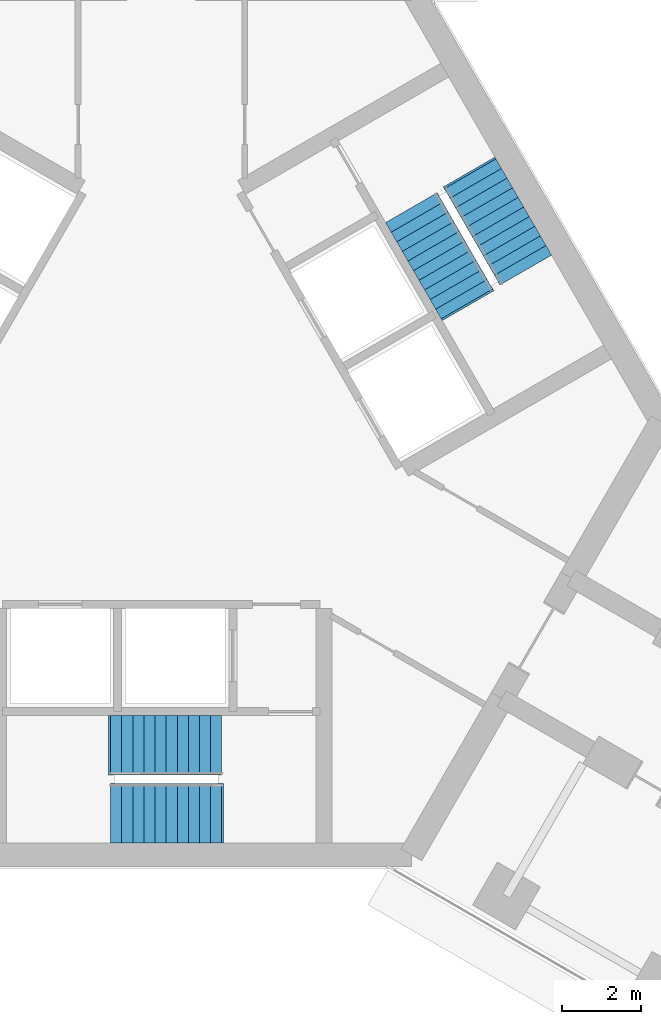
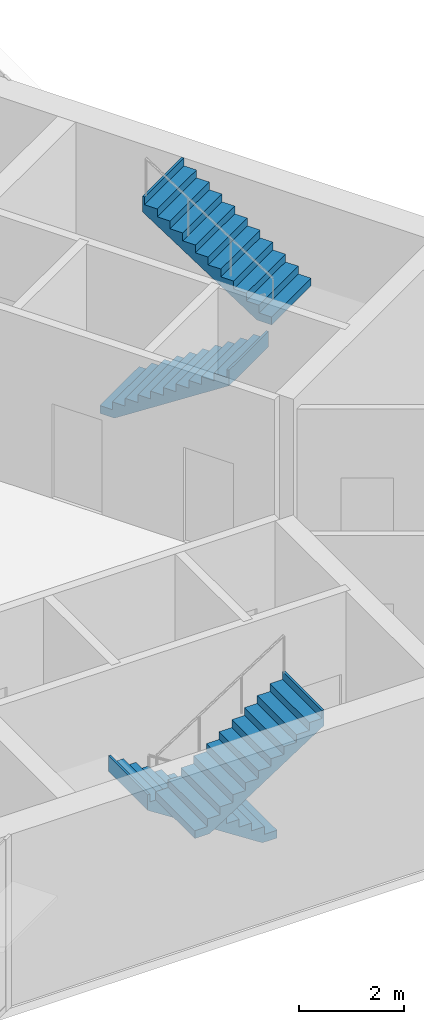
# One storey, part 22 of 23: 4 stair flights, 2 elements without a shape of their own.
"""IFC4 building model written with IfcOpenShell, lengths in metres."""

import ifcopenshell
import ifcopenshell.guid

model = None  # the IFC model being written
_history = None  # IfcOwnerHistory: only IFC2X3 demands one
_inside = {}  # id of a spatial element -> (the spatial element, [elements in it])
_under = {}  # id of a project, library or spatial element -> (it, [spatial elements below it])
_declared = {}  # id of a project -> (the project, [libraries it declares])
_typed = {}  # id of a type object -> (the type object, [elements of that type])
_made_of = {}  # id of a material, layer set ... -> (it, [elements and type objects made of it])


def new_model(schema):
    """Start an empty IFC model of exactly this schema.

    Asked for "IFC4X3", IfcOpenShell would pick the latest addendum, in which some entities
    have other attributes; the version numbers below select the first issue.
    IFC2X3 requires an IfcOwnerHistory on every rooted entity: one is made here for all.
    """
    global model, _history
    if schema == "IFC4X3":
        model = ifcopenshell.file(schema_version=(4, 3, 0, 0))
    else:
        model = ifcopenshell.file(schema=schema)
    _inside.clear()
    _under.clear()
    _declared.clear()
    _typed.clear()
    _made_of.clear()
    _history = None
    if model.schema == "IFC2X3":
        org = make("IfcOrganization", Name="unknown")
        user = make(
            "IfcPersonAndOrganization",
            ThePerson=make("IfcPerson", FamilyName="unknown"),
            TheOrganization=org,
        )
        app = make(
            "IfcApplication",
            ApplicationDeveloper=org,
            Version="unknown",
            ApplicationFullName="unknown",
            ApplicationIdentifier="unknown",
        )
        _history = make(
            "IfcOwnerHistory",
            OwningUser=user,
            OwningApplication=app,
            ChangeAction="ADDED",
            CreationDate=0,
        )
    return model


def make(cls, **values):
    """One entity of the class cls with the attributes given. An attribute that is None is left unset."""
    return model.create_entity(
        cls, **{name: value for name, value in values.items() if value is not None}
    )


def rooted(cls, **values):
    """An entity with a GlobalId (a new one), such as an element, a storey or a relation."""
    return make(cls, GlobalId=ifcopenshell.guid.new(), OwnerHistory=_history, **values)


def si_unit(unit_type, name, prefix=None):
    """IfcSIUnit, for example si_unit("LENGTHUNIT", "METRE", prefix="MILLI")."""
    return make("IfcSIUnit", UnitType=unit_type, Prefix=prefix, Name=name)


def assignment(units):
    """IfcUnitAssignment: the units of a project."""
    return None if units is None else make("IfcUnitAssignment", Units=units)


def point(xyz):
    """IfcCartesianPoint."""
    return None if xyz is None else make("IfcCartesianPoint", Coordinates=xyz)


def direction(xyz):
    """IfcDirection."""
    return None if xyz is None else make("IfcDirection", DirectionRatios=xyz)


def frame(location, z_axis=None, x_axis=None):
    """IfcAxis2Placement3D, a coordinate frame: its origin and axes. An axis left out is left unset."""
    return make(
        "IfcAxis2Placement3D",
        Location=point(location),
        Axis=direction(z_axis),
        RefDirection=direction(x_axis),
    )


def origin():
    """The frame at (0, 0, 0) with its axes left unset."""
    return frame((0.0, 0.0, 0.0))


def place(relative_to, where):
    """IfcLocalPlacement: puts the frame where relative to a parent placement (None: the world)."""
    return make(
        "IfcLocalPlacement", PlacementRelTo=relative_to, RelativePlacement=where
    )


def context(
    kind, dimensions, precision=None, world=None, true_north=None, identifier=None
):
    """IfcGeometricRepresentationContext, for example the 3D "Model" context."""
    return make(
        "IfcGeometricRepresentationContext",
        ContextIdentifier=identifier,
        ContextType=kind,
        CoordinateSpaceDimension=dimensions,
        Precision=precision,
        WorldCoordinateSystem=world,
        TrueNorth=true_north,
    )


def subcontext(parent, identifier, kind, view, scale=None):
    """IfcGeometricRepresentationSubContext, for example "Body" below "Model"."""
    return make(
        "IfcGeometricRepresentationSubContext",
        ContextIdentifier=identifier,
        ContextType=kind,
        ParentContext=parent,
        TargetScale=scale,
        TargetView=view,
    )


def project(units=None, contexts=None):
    """IfcProject with its units and contexts."""
    return rooted(
        "IfcProject",
        Name="project",
        RepresentationContexts=contexts,
        UnitsInContext=assignment(units),
    )


def spatial(cls, under=None, at=None, **own):
    """A site, building, storey or space (cls), placed at a placement, below another one or the project."""
    s = rooted(cls, ObjectPlacement=at, **own)
    if under is not None:
        _under.setdefault(under.id(), (under, []))[1].append(s)
    return s


def polyline(points):
    """IfcPolyline through the points."""
    return make("IfcPolyline", Points=[point(p) for p in points])


def outline(outer, holes=None, kind="AREA"):
    """IfcArbitraryClosedProfileDef: a profile drawn as a closed curve; with holes, ...WithVoids."""
    if holes is None:
        return make("IfcArbitraryClosedProfileDef", ProfileType=kind, OuterCurve=outer)
    return make(
        "IfcArbitraryProfileDefWithVoids",
        ProfileType=kind,
        OuterCurve=outer,
        InnerCurves=holes,
    )


def extrude(swept, where, along, depth):
    """IfcExtrudedAreaSolid: the profile swept, set in the frame where, extruded along a direction by depth."""
    return make(
        "IfcExtrudedAreaSolid",
        SweptArea=swept,
        Position=where,
        ExtrudedDirection=direction(along),
        Depth=depth,
    )


def shape(context_of_items, identifier, shape_type, items):
    """IfcShapeRepresentation: the items that make up one representation, for example the "Body"."""
    return make(
        "IfcShapeRepresentation",
        ContextOfItems=context_of_items,
        RepresentationIdentifier=identifier,
        RepresentationType=shape_type,
        Items=items,
    )


def material(Name=None, Category=None):
    """IfcMaterial."""
    return make("IfcMaterial", Name=Name, Category=Category)


def made_of(thing, what):
    """Note that an element or type object is made of a material, layer set ...; save() writes the relation."""
    if what is not None:
        _made_of.setdefault(what.id(), (what, []))[1].append(thing)
    return thing


def type_object(cls, material=None, **own):
    """A type object (cls), such as IfcWallType, which elements share."""
    return made_of(rooted(cls, **own), material)


def element(
    cls,
    number,
    at=None,
    inside=None,
    cuts=None,
    type_object=None,
    material=None,
    context=None,
    identifier="Body",
    shape_type=None,
    held_by="IfcProductDefinitionShape",
    body=None,
    shapes=None,
    **own,
):
    """One element of the class cls, such as IfcWall. Its Tag is "e" and its number.

    at: its placement. inside: the storey or other place that contains it. cuts: it is an
    opening in that element (IfcRelVoidsElement). A single representation is given by context,
    identifier, shape_type and body (its items); several are given by shapes. held_by: the class
    of the entity that holds the representations. save() writes the other relations.
    """
    e = rooted(cls, Tag="e%d" % number, ObjectPlacement=at, **own)
    if body is not None:
        shapes = [shape(context, identifier, shape_type, body)]
    if shapes is not None:
        e.Representation = make(held_by, Representations=shapes)
    if inside is not None:
        _inside.setdefault(inside.id(), (inside, []))[1].append(e)
    if cuts is not None:
        rooted(
            "IfcRelVoidsElement", RelatingBuildingElement=cuts, RelatedOpeningElement=e
        )
    if type_object is not None:
        _typed.setdefault(type_object.id(), (type_object, []))[1].append(e)
    return made_of(e, material)


def aggregate(whole, parts):
    """IfcRelAggregates: a whole, such as a stair, and the parts it consists of."""
    return rooted("IfcRelAggregates", RelatingObject=whole, RelatedObjects=parts)


def save(model, path):
    """Write the relations noted so far, then the file.

    IfcRelAggregates (storeys below a building ...), IfcRelContainedInSpatialStructure (elements
    in a storey), IfcRelDefinesByType, IfcRelAssociatesMaterial and IfcRelDeclares: one each for
    every whole, place, type object, material and project.
    """
    for whole, parts in _under.values():
        aggregate(whole, parts)
    for where, things in _inside.values():
        rooted(
            "IfcRelContainedInSpatialStructure",
            RelatedElements=things,
            RelatingStructure=where,
        )
    for kind, things in _typed.values():
        rooted("IfcRelDefinesByType", RelatedObjects=things, RelatingType=kind)
    for what, things in _made_of.values():
        rooted("IfcRelAssociatesMaterial", RelatedObjects=things, RelatingMaterial=what)
    for by, libraries in _declared.values():
        rooted("IfcRelDeclares", RelatingContext=by, RelatedDefinitions=libraries)
    model.write(path)


model = new_model("IFC4")

# Units and contexts
model_context = context("Model", 3, precision=1e-05, world=origin(), true_north=direction((0.0, 1.0)))
body_context = subcontext(model_context, "Body", "Model", "MODEL_VIEW")
ifc_project = project(units=[si_unit("LENGTHUNIT", "METRE"), si_unit("AREAUNIT", "SQUARE_METRE"), si_unit("VOLUMEUNIT", "CUBIC_METRE"), si_unit("PLANEANGLEUNIT", "RADIAN"), si_unit("MASSUNIT", "GRAM", prefix="KILO")], contexts=[model_context])

# Site, building, storey
site_placement = place(None, origin())
site = spatial("IfcSite", under=ifc_project, at=site_placement, CompositionType="ELEMENT")
building_placement = place(site_placement, origin())
building = spatial("IfcBuilding", under=site, at=building_placement, Name="Upepo Twin Towers", CompositionType="ELEMENT")
storey_placement = place(building_placement, frame((0.0, 0.0, 161.5)))
storey = spatial("IfcBuildingStorey", under=building, at=storey_placement, Name="L39", CompositionType="ELEMENT", Elevation=161.5)

# Stair, stair flights
ifc_material_1 = material(Name="Concrete C40/50", Category="concrete")
stair_type = type_object("IfcStairType", Name="Core stair, two flights", PredefinedType="HALF_TURN_STAIR", material=ifc_material_1)
stair_1_placement = place(storey_placement, origin())
stair_1 = element("IfcStair", 1, at=stair_1_placement, inside=storey, type_object=stair_type, Name="T2 stair S1 L39", PredefinedType="HALF_TURN_STAIR")
ifc_material_2 = material(Name="Concrete C40/50", Category="concrete")
stair_flight_type = type_object("IfcStairFlightType", Name="Stair flight 1500 RC", PredefinedType="STRAIGHT", material=ifc_material_2)
stair_flight_1_placement = place(storey_placement, frame((60.02001953125, -26.14990234375, 0.0), z_axis=(0.0, 0.0, 1.0), x_axis=(-1.0, 0.0, 0.0)))
stair_flight_1 = element("IfcStairFlight", 2, at=stair_flight_1_placement, type_object=stair_flight_type, Name="Stair S1 flight 1", NumberOfRisers=11, NumberOfTreads=10, PredefinedType="STRAIGHT", RiserHeight=0.181818182, TreadLength=0.28, context=body_context, shape_type="SweptSolid", body=[
    extrude(outline(polyline([(0.0, 0.0), (0.0, 0.181884765625), (0.280029296875, 0.181884765625), (0.280029296875, 0.363525390625), (0.56005859375, 0.363525390625), (0.56005859375, 0.54541015625), (0.840087890625, 0.54541015625), (0.840087890625, 0.727294921875), (1.1201171875, 0.727294921875), (1.1201171875, 0.9091796875), (1.39990234375, 0.9091796875), (1.39990234375, 1.0908203125), (1.679931640625, 1.0908203125), (1.679931640625, 1.272705078125), (1.9599609375, 1.272705078125), (1.9599609375, 1.45458984375), (2.239990234375, 1.45458984375), (2.239990234375, 1.636474609375), (2.52001953125, 1.636474609375), (2.52001953125, 1.818115234375), (2.800048828125, 1.818115234375), (2.800048828125, 2.0), (2.85009765625, 2.0), (2.85009765625, 1.639404296875), (0.3251953125, 0.0), (0.0, 0.0)])), frame((0.0, 0.75, 0.0), z_axis=(0.0, -1.0, 0.0), x_axis=(1.0, 0.0, 0.0)), (0.0, 0.0, 1.0), 1.5),
])
stair_flight_2_placement = place(storey_placement, frame((57.219970703125, -27.8583984375, 2.0), z_axis=(0.0, 0.0, 1.0), x_axis=(1.0, 0.0, 0.0)))
stair_flight_2 = element("IfcStairFlight", 3, at=stair_flight_2_placement, type_object=stair_flight_type, Name="Stair S1 flight 2", NumberOfRisers=11, NumberOfTreads=10, PredefinedType="STRAIGHT", RiserHeight=0.181818182, TreadLength=0.28, context=body_context, shape_type="SweptSolid", body=[
    extrude(outline(polyline([(0.0, 0.0), (0.0, 0.181884765625), (0.280029296875, 0.181884765625), (0.280029296875, 0.363525390625), (0.56005859375, 0.363525390625), (0.56005859375, 0.54541015625), (0.840087890625, 0.54541015625), (0.840087890625, 0.727294921875), (1.1201171875, 0.727294921875), (1.1201171875, 0.9091796875), (1.39990234375, 0.9091796875), (1.39990234375, 1.0908203125), (1.679931640625, 1.0908203125), (1.679931640625, 1.272705078125), (1.9599609375, 1.272705078125), (1.9599609375, 1.45458984375), (2.239990234375, 1.45458984375), (2.239990234375, 1.636474609375), (2.52001953125, 1.636474609375), (2.52001953125, 1.818115234375), (2.800048828125, 1.818115234375), (2.800048828125, 2.0), (2.85009765625, 2.0), (2.85009765625, 1.639404296875), (0.3251953125, 0.0), (0.0, 0.0)])), frame((0.0, 0.75, 0.0), z_axis=(0.0, -1.0, 0.0), x_axis=(1.0, 0.0, 0.0)), (0.0, 0.0, 1.0), 1.5),
])
aggregate(stair_1, [stair_flight_1, stair_flight_2])

stair_2_placement = place(storey_placement, origin())
stair_2 = element("IfcStair", 4, at=stair_2_placement, inside=storey, type_object=stair_type, Name="T2 stair S2 L39", PredefinedType="HALF_TURN_STAIR")
stair_flight_3_placement = place(storey_placement, frame((64.798095703125, -12.608642578125, 0.0), z_axis=(0.0, 0.0, 1.0), x_axis=(0.5, -0.866025403784, 0.0)))
stair_flight_3 = element("IfcStairFlight", 5, at=stair_flight_3_placement, type_object=stair_flight_type, Name="Stair S2 flight 1", NumberOfRisers=11, NumberOfTreads=10, PredefinedType="STRAIGHT", RiserHeight=0.181818182, TreadLength=0.28, context=body_context, shape_type="SweptSolid", body=[
    extrude(outline(polyline([(0.0, 0.0), (0.0, 0.181884765625), (0.280029296875, 0.181884765625), (0.280029296875, 0.363525390625), (0.56005859375, 0.363525390625), (0.56005859375, 0.54541015625), (0.840087890625, 0.54541015625), (0.840087890625, 0.727294921875), (1.1201171875, 0.727294921875), (1.1201171875, 0.9091796875), (1.39990234375, 0.9091796875), (1.39990234375, 1.0908203125), (1.679931640625, 1.0908203125), (1.679931640625, 1.272705078125), (1.9599609375, 1.272705078125), (1.9599609375, 1.45458984375), (2.239990234375, 1.45458984375), (2.239990234375, 1.636474609375), (2.52001953125, 1.636474609375), (2.52001953125, 1.818115234375), (2.800048828125, 1.818115234375), (2.800048828125, 2.0), (2.85009765625, 2.0), (2.85009765625, 1.639404296875), (0.3251953125, 0.0), (0.0, 0.0)])), frame((0.0, 0.75, 0.0), z_axis=(0.0, -1.0, 0.0), x_axis=(1.0, 0.0, 0.0)), (0.0, 0.0, 1.0), 1.5),
])
stair_flight_4_placement = place(storey_placement, frame((67.677490234375, -14.179443359375, 2.0), z_axis=(0.0, 0.0, 1.0), x_axis=(-0.5, 0.866025403784, 0.0)))
stair_flight_4 = element("IfcStairFlight", 6, at=stair_flight_4_placement, type_object=stair_flight_type, Name="Stair S2 flight 2", NumberOfRisers=11, NumberOfTreads=10, PredefinedType="STRAIGHT", RiserHeight=0.181818182, TreadLength=0.28, context=body_context, shape_type="SweptSolid", body=[
    extrude(outline(polyline([(0.0, 0.0), (0.0, 0.181884765625), (0.280029296875, 0.181884765625), (0.280029296875, 0.363525390625), (0.56005859375, 0.363525390625), (0.56005859375, 0.54541015625), (0.840087890625, 0.54541015625), (0.840087890625, 0.727294921875), (1.1201171875, 0.727294921875), (1.1201171875, 0.9091796875), (1.39990234375, 0.9091796875), (1.39990234375, 1.0908203125), (1.679931640625, 1.0908203125), (1.679931640625, 1.272705078125), (1.9599609375, 1.272705078125), (1.9599609375, 1.45458984375), (2.239990234375, 1.45458984375), (2.239990234375, 1.636474609375), (2.52001953125, 1.636474609375), (2.52001953125, 1.818115234375), (2.800048828125, 1.818115234375), (2.800048828125, 2.0), (2.85009765625, 2.0), (2.85009765625, 1.639404296875), (0.3251953125, 0.0), (0.0, 0.0)])), frame((0.0, 0.75, 0.0), z_axis=(0.0, -1.0, 0.0), x_axis=(1.0, 0.0, 0.0)), (0.0, 0.0, 1.0), 1.5),
])
aggregate(stair_2, [stair_flight_3, stair_flight_4])

save(model, "model.ifc")
